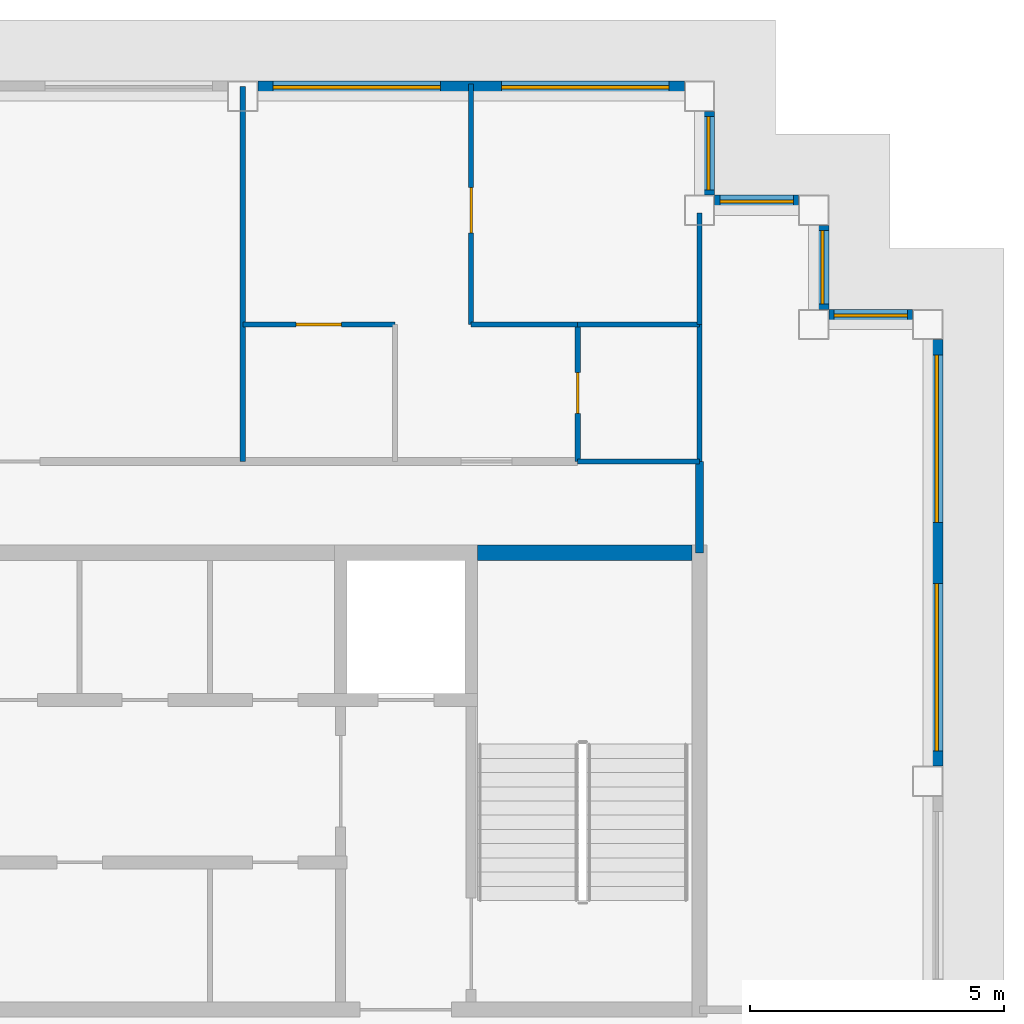
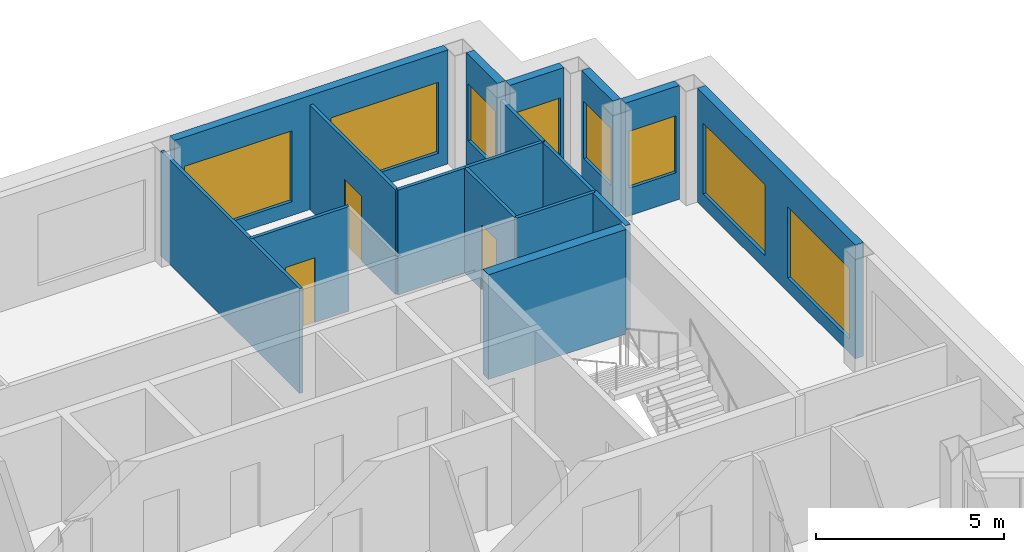
# One storey, part 6 of 11: 17 walls, 8 windows, 3 doors, 11 openings.
"""IFC4 building model written with IfcOpenShell, lengths in metres."""

from ifc_helpers import new_model, si_unit, direction, frame, frame_2d, origin, place, context, subcontext, project, spatial, rectangle, extrude, material, layer, layer_set, type_object, element, fill, save


model = new_model("IFC4")

# Units and contexts
model_context = context("Model", 3, precision=1e-05, world=origin(), true_north=direction((0.0, 1.0)))
body_context = subcontext(model_context, "Body", "Model", "MODEL_VIEW")
ifc_project = project(units=[si_unit("LENGTHUNIT", "METRE"), si_unit("AREAUNIT", "SQUARE_METRE"), si_unit("VOLUMEUNIT", "CUBIC_METRE"), si_unit("PLANEANGLEUNIT", "RADIAN"), si_unit("MASSUNIT", "GRAM", prefix="KILO")], contexts=[model_context])

# Site, building, storey
site_placement = place(None, origin())
site = spatial("IfcSite", under=ifc_project, at=site_placement, CompositionType="ELEMENT")
building_placement = place(site_placement, origin())
building = spatial("IfcBuilding", under=site, at=building_placement, Name="Caravel Reach Hotel and Residences", CompositionType="ELEMENT")
storey_placement = place(building_placement, frame((0.0, 0.0, 260.10009765625)))
storey = spatial("IfcBuildingStorey", under=building, at=storey_placement, Name="L66", CompositionType="ELEMENT", Elevation=260.10009765625)

# Walls
ifc_material_1 = material(Name="Gypsum board on steel stud", Category="steel")
ifc_layer_1 = layer(ifc_material_1, 0.10009765625)
ifc_layer_set_1 = layer_set([ifc_layer_1], Name="Bathroom pod wall 100 mm")
wall_type_1 = type_object("IfcWallType", Name="Bathroom pod wall 100 mm", PredefinedType="PARTITIONING", material=ifc_layer_set_1)
for number, where, z_axis, x_axis, name in (
    (1, (42.60009765625, 33.300048828125, 0.0), (0.0, 0.0, 1.0), (1.0, 0.0, 0.0), "L66 wall w055"),
    (2, (42.60009765625, 36.0, 0.0), (0.0, 0.0, 1.0), (1.0, 0.0, 0.0), "L66 wall w057"),
):
    element("IfcWall", number, at=place(storey_placement, frame(where, z_axis=z_axis, x_axis=x_axis)), inside=storey, type_object=wall_type_1, Name=name, PredefinedType="PARTITIONING", context=body_context, shape_type="SweptSolid", body=[
        extrude(rectangle(XDim=2.39990234375, YDim=0.10009765625, at=frame_2d((1.199951171875, 0.0))), origin(), (0.0, 0.0, 1.0), 3.39990234375),
    ])

# Wall, opening, door
wall_1_placement = place(storey_placement, frame((42.60009765625, 33.300048828125, 0.0), z_axis=(0.0, 0.0, 1.0), x_axis=(0.0, 1.0, 0.0)))
wall_1 = element("IfcWall", 3, at=wall_1_placement, inside=storey, type_object=wall_type_1, Name="L66 wall w061", PredefinedType="PARTITIONING", context=body_context, shape_type="SweptSolid", body=[
    extrude(rectangle(XDim=2.699951171875, YDim=0.10009765625, at=frame_2d((1.35009765625, 0.0))), origin(), (0.0, 0.0, 1.0), 3.39990234375),
])
opening_1_placement = place(wall_1_placement, frame((0.949951171875, 0.0, 0.0)))
opening_1 = element("IfcOpeningElement", 4, at=opening_1_placement, cuts=wall_1, Name="Opening D66-024", PredefinedType="OPENING", context=body_context, shape_type="SweptSolid", body=[
    extrude(rectangle(XDim=0.800048828125, YDim=2.10009765625, at=frame_2d((0.39990234375, 1.050048828125))), frame((0.0, 0.06005859375, 0.0), z_axis=(0.0, -1.0, 0.0), x_axis=(1.0, 0.0, 0.0)), (0.0, 0.0, 1.0), 0.1201171875),
])
ifc_material_2 = material(Name="Timber and steel door leaf", Category="steel")
door_type_1 = type_object("IfcDoorType", Name="Bathroom door 800 x 2100", OperationType="SINGLE_SWING_LEFT", PredefinedType="DOOR", material=ifc_material_2)
door_1_placement = place(opening_1_placement, origin())
door_1 = element("IfcDoor", 5, at=door_1_placement, inside=storey, type_object=door_type_1, Name="door D66-024", OperationType="SINGLE_SWING_LEFT", OverallHeight=2.10009765625, OverallWidth=0.800048828125, PredefinedType="DOOR", context=body_context, shape_type="SweptSolid", body=[
    extrude(rectangle(XDim=0.800048828125, YDim=2.10009765625, at=frame_2d((0.39990234375, 1.050048828125))), frame((0.0, 0.02490234375, 0.0), z_axis=(0.0, -1.0, 0.0), x_axis=(1.0, 0.0, 0.0)), (0.0, 0.0, 1.0), 0.050048828125),
])
fill(opening_1, door_1)

# Walls
wall_2_placement = place(storey_placement, frame((45.0, 33.300048828125, 0.0), z_axis=(0.0, 0.0, 1.0), x_axis=(0.0, 1.0, 0.0)))
element("IfcWall", 6, at=wall_2_placement, inside=storey, type_object=wall_type_1, Name="L66 wall w063", PredefinedType="PARTITIONING", context=body_context, shape_type="SweptSolid", body=[
    extrude(rectangle(XDim=2.699951171875, YDim=0.10009765625, at=frame_2d((1.35009765625, 0.0))), origin(), (0.0, 0.0, 1.0), 3.39990234375),
])
ifc_material_3 = material(Name="Concrete C60", Category="concrete")
ifc_layer_2 = layer(ifc_material_3, 0.300048828125)
ifc_layer_set_2 = layer_set([ifc_layer_2], Name="Core wall 300 mm EI 120")
wall_type_2 = type_object("IfcWallType", Name="Core wall 300 mm EI 120", PredefinedType="SHEAR", material=ifc_layer_set_2)
wall_3_placement = place(storey_placement, frame((40.625, 31.5, 0.0), z_axis=(0.0, 0.0, 1.0), x_axis=(1.0, 0.0, 0.0)))
element("IfcWall", 7, at=wall_3_placement, inside=storey, type_object=wall_type_2, Name="L66 core wall N3", PredefinedType="SHEAR", context=body_context, shape_type="SweptSolid", body=[
    extrude(rectangle(XDim=4.22509765625, YDim=0.300048828125, at=frame_2d((2.112548828125, 0.0))), origin(), (0.0, 0.0, 1.0), 3.39990234375),
])
ifc_material_4 = material(Name="Gypsum board on steel stud, fire-rated", Category="steel")
ifc_layer_3 = layer(ifc_material_4, 0.14990234375)
ifc_layer_set_3 = layer_set([ifc_layer_3], Name="Corridor wall 150 mm EI 60")
wall_type_3 = type_object("IfcWallType", Name="Corridor wall 150 mm EI 60", PredefinedType="PARTITIONING", material=ifc_layer_set_3)
wall_4_placement = place(storey_placement, frame((45.0, 31.5, 0.0), z_axis=(0.0, 0.0, 1.0), x_axis=(0.0, 1.0, 0.0)))
element("IfcWall", 8, at=wall_4_placement, inside=storey, type_object=wall_type_3, Name="L66 wall w020", PredefinedType="PARTITIONING", context=body_context, shape_type="SweptSolid", body=[
    extrude(rectangle(XDim=1.800048828125, YDim=0.14990234375, at=frame_2d((0.89990234375, 0.0))), origin(), (0.0, 0.0, 1.0), 3.39990234375),
])

# Wall, openings, windows
ifc_material_5 = material(Name="Insulated rainscreen wall, aluminium cladding", Category="aluminium")
ifc_layer_4 = layer(ifc_material_5, 0.25)
ifc_layer_set_4 = layer_set([ifc_layer_4], Name="EW1 Tower rainscreen wall")
wall_type_4 = type_object("IfcWallType", Name="EW1 Tower rainscreen wall", PredefinedType="SOLIDWALL", material=ifc_layer_set_4)
wall_5_placement = place(storey_placement, frame((49.675048828125, 27.300048828125, 0.0), z_axis=(0.0, 0.0, 1.0), x_axis=(0.0, 1.0, 0.0)))
wall_5 = element("IfcWall", 9, at=wall_5_placement, inside=storey, type_object=wall_type_4, Name="External wall L66 E9.2", PredefinedType="SOLIDWALL", context=body_context, shape_type="SweptSolid", body=[
    extrude(rectangle(XDim=8.39990234375, YDim=0.25, at=frame_2d((4.199951171875, 0.0))), origin(), (0.0, 0.0, 1.0), 3.699951171875),
])
opening_2_placement = place(wall_5_placement, frame((0.300048828125, 0.0, 0.449951171875)))
opening_2 = element("IfcOpeningElement", 10, at=opening_2_placement, cuts=wall_5, Name="Opening WN15", PredefinedType="OPENING", context=body_context, shape_type="SweptSolid", body=[
    extrude(rectangle(XDim=3.300048828125, YDim=2.300048828125, at=frame_2d((1.64990234375, 1.14990234375))), frame((0.0, 0.135009765625, 0.0), z_axis=(0.0, -1.0, 0.0), x_axis=(1.0, 0.0, 0.0)), (0.0, 0.0, 1.0), 0.27001953125),
])
opening_3_placement = place(wall_5_placement, frame((4.800048828125, 0.0, 0.449951171875)))
opening_3 = element("IfcOpeningElement", 11, at=opening_3_placement, cuts=wall_5, Name="Opening WN15", PredefinedType="OPENING", context=body_context, shape_type="SweptSolid", body=[
    extrude(rectangle(XDim=3.300048828125, YDim=2.300048828125, at=frame_2d((1.64990234375, 1.14990234375))), frame((0.0, 0.135009765625, 0.0), z_axis=(0.0, -1.0, 0.0), x_axis=(1.0, 0.0, 0.0)), (0.0, 0.0, 1.0), 0.27001953125),
])
ifc_material_6 = material(Name="Dark low-e glazing in black aluminium frame", Category="aluminium")
window_type_1 = type_object("IfcWindowType", Name="Residence living window 3300 x 2300", PartitioningType="SINGLE_PANEL", PredefinedType="WINDOW", material=ifc_material_6)
window_1_placement = place(opening_2_placement, origin())
window_1 = element("IfcWindow", 12, at=window_1_placement, inside=storey, type_object=window_type_1, Name="Window L66 E9.2.1", OverallHeight=2.300048828125, OverallWidth=3.300048828125, PartitioningType="SINGLE_PANEL", PredefinedType="WINDOW", context=body_context, shape_type="SweptSolid", body=[
    extrude(rectangle(XDim=3.300048828125, YDim=2.300048828125, at=frame_2d((1.64990234375, 1.14990234375))), frame((0.0, 0.030029296875, 0.0), z_axis=(0.0, -1.0, 0.0), x_axis=(1.0, 0.0, 0.0)), (0.0, 0.0, 1.0), 0.06005859375),
])
fill(opening_2, window_1)
window_2_placement = place(opening_3_placement, origin())
window_2 = element("IfcWindow", 13, at=window_2_placement, inside=storey, type_object=window_type_1, Name="Window L66 E9.2.2", OverallHeight=2.300048828125, OverallWidth=3.300048828125, PartitioningType="SINGLE_PANEL", PredefinedType="WINDOW", context=body_context, shape_type="SweptSolid", body=[
    extrude(rectangle(XDim=3.300048828125, YDim=2.300048828125, at=frame_2d((1.64990234375, 1.14990234375))), frame((0.0, 0.030029296875, 0.0), z_axis=(0.0, -1.0, 0.0), x_axis=(1.0, 0.0, 0.0)), (0.0, 0.0, 1.0), 0.06005859375),
])
fill(opening_3, window_2)

# Wall, opening, window
wall_6_placement = place(storey_placement, frame((49.199951171875, 36.175048828125, 0.0), z_axis=(0.0, 0.0, 1.0), x_axis=(-1.0, 0.0, 0.0)))
wall_6 = element("IfcWall", 14, at=wall_6_placement, inside=storey, type_object=wall_type_4, Name="External wall L66 N10.1", PredefinedType="SOLIDWALL", context=body_context, shape_type="SweptSolid", body=[
    extrude(rectangle(XDim=1.64990234375, YDim=0.25, at=frame_2d((0.824951171875, 0.0))), origin(), (0.0, 0.0, 1.0), 3.699951171875),
])
opening_4_placement = place(wall_6_placement, frame((0.10009765625, 0.0, 0.89990234375)))
opening_4 = element("IfcOpeningElement", 15, at=opening_4_placement, cuts=wall_6, Name="Opening WN25", PredefinedType="OPENING", context=body_context, shape_type="SweptSolid", body=[
    extrude(rectangle(XDim=1.449951171875, YDim=1.85009765625, at=frame_2d((0.72509765625, 0.925048828125))), frame((0.0, 0.135009765625, 0.0), z_axis=(0.0, -1.0, 0.0), x_axis=(1.0, 0.0, 0.0)), (0.0, 0.0, 1.0), 0.27001953125),
])
ifc_material_7 = material(Name="Dark low-e glazing in black aluminium frame", Category="aluminium")
window_type_2 = type_object("IfcWindowType", Name="Residence bedroom window 1450 x 1850", PartitioningType="SINGLE_PANEL", PredefinedType="WINDOW", material=ifc_material_7)
window_3_placement = place(opening_4_placement, origin())
window_3 = element("IfcWindow", 16, at=window_3_placement, inside=storey, type_object=window_type_2, Name="Window L66 N10.1.1", OverallHeight=1.85009765625, OverallWidth=1.449951171875, PartitioningType="SINGLE_PANEL", PredefinedType="WINDOW", context=body_context, shape_type="SweptSolid", body=[
    extrude(rectangle(XDim=1.449951171875, YDim=1.85009765625, at=frame_2d((0.72509765625, 0.925048828125))), frame((0.0, 0.030029296875, 0.0), z_axis=(0.0, -1.0, 0.0), x_axis=(1.0, 0.0, 0.0)), (0.0, 0.0, 1.0), 0.06005859375),
])
fill(opening_4, window_3)

wall_7_placement = place(storey_placement, frame((47.425048828125, 36.300048828125, 0.0), z_axis=(0.0, 0.0, 1.0), x_axis=(0.0, 1.0, 0.0)))
wall_7 = element("IfcWall", 17, at=wall_7_placement, inside=storey, type_object=wall_type_4, Name="External wall L66 E11.1", PredefinedType="SOLIDWALL", context=body_context, shape_type="SweptSolid", body=[
    extrude(rectangle(XDim=1.64990234375, YDim=0.25, at=frame_2d((0.824951171875, 0.0))), origin(), (0.0, 0.0, 1.0), 3.699951171875),
])
opening_5_placement = place(wall_7_placement, frame((0.10009765625, 0.0, 0.89990234375)))
opening_5 = element("IfcOpeningElement", 18, at=opening_5_placement, cuts=wall_7, Name="Opening WN25", PredefinedType="OPENING", context=body_context, shape_type="SweptSolid", body=[
    extrude(rectangle(XDim=1.449951171875, YDim=1.85009765625, at=frame_2d((0.72509765625, 0.925048828125))), frame((0.0, 0.135009765625, 0.0), z_axis=(0.0, -1.0, 0.0), x_axis=(1.0, 0.0, 0.0)), (0.0, 0.0, 1.0), 0.27001953125),
])
window_4_placement = place(opening_5_placement, origin())
window_4 = element("IfcWindow", 19, at=window_4_placement, inside=storey, type_object=window_type_2, Name="Window L66 E11.1.1", OverallHeight=1.85009765625, OverallWidth=1.449951171875, PartitioningType="SINGLE_PANEL", PredefinedType="WINDOW", context=body_context, shape_type="SweptSolid", body=[
    extrude(rectangle(XDim=1.449951171875, YDim=1.85009765625, at=frame_2d((0.72509765625, 0.925048828125))), frame((0.0, 0.030029296875, 0.0), z_axis=(0.0, -1.0, 0.0), x_axis=(1.0, 0.0, 0.0)), (0.0, 0.0, 1.0), 0.06005859375),
])
fill(opening_5, window_4)

wall_8_placement = place(storey_placement, frame((46.949951171875, 38.425048828125, 0.0), z_axis=(0.0, 0.0, 1.0), x_axis=(-1.0, 0.0, 0.0)))
wall_8 = element("IfcWall", 20, at=wall_8_placement, inside=storey, type_object=wall_type_4, Name="External wall L66 N12.1", PredefinedType="SOLIDWALL", context=body_context, shape_type="SweptSolid", body=[
    extrude(rectangle(XDim=1.64990234375, YDim=0.25, at=frame_2d((0.824951171875, 0.0))), origin(), (0.0, 0.0, 1.0), 3.699951171875),
])
opening_6_placement = place(wall_8_placement, frame((0.10009765625, 0.0, 0.89990234375)))
opening_6 = element("IfcOpeningElement", 21, at=opening_6_placement, cuts=wall_8, Name="Opening WN25", PredefinedType="OPENING", context=body_context, shape_type="SweptSolid", body=[
    extrude(rectangle(XDim=1.449951171875, YDim=1.85009765625, at=frame_2d((0.72509765625, 0.925048828125))), frame((0.0, 0.135009765625, 0.0), z_axis=(0.0, -1.0, 0.0), x_axis=(1.0, 0.0, 0.0)), (0.0, 0.0, 1.0), 0.27001953125),
])
window_5_placement = place(opening_6_placement, origin())
window_5 = element("IfcWindow", 22, at=window_5_placement, inside=storey, type_object=window_type_2, Name="Window L66 N12.1.1", OverallHeight=1.85009765625, OverallWidth=1.449951171875, PartitioningType="SINGLE_PANEL", PredefinedType="WINDOW", context=body_context, shape_type="SweptSolid", body=[
    extrude(rectangle(XDim=1.449951171875, YDim=1.85009765625, at=frame_2d((0.72509765625, 0.925048828125))), frame((0.0, 0.030029296875, 0.0), z_axis=(0.0, -1.0, 0.0), x_axis=(1.0, 0.0, 0.0)), (0.0, 0.0, 1.0), 0.06005859375),
])
fill(opening_6, window_5)

wall_9_placement = place(storey_placement, frame((45.175048828125, 38.550048828125, 0.0), z_axis=(0.0, 0.0, 1.0), x_axis=(0.0, 1.0, 0.0)))
wall_9 = element("IfcWall", 23, at=wall_9_placement, inside=storey, type_object=wall_type_4, Name="External wall L66 E13.1", PredefinedType="SOLIDWALL", context=body_context, shape_type="SweptSolid", body=[
    extrude(rectangle(XDim=1.64990234375, YDim=0.25, at=frame_2d((0.824951171875, 0.0))), origin(), (0.0, 0.0, 1.0), 3.699951171875),
])
opening_7_placement = place(wall_9_placement, frame((0.10009765625, 0.0, 0.89990234375)))
opening_7 = element("IfcOpeningElement", 24, at=opening_7_placement, cuts=wall_9, Name="Opening WN25", PredefinedType="OPENING", context=body_context, shape_type="SweptSolid", body=[
    extrude(rectangle(XDim=1.449951171875, YDim=1.85009765625, at=frame_2d((0.72509765625, 0.925048828125))), frame((0.0, 0.135009765625, 0.0), z_axis=(0.0, -1.0, 0.0), x_axis=(1.0, 0.0, 0.0)), (0.0, 0.0, 1.0), 0.27001953125),
])
window_6_placement = place(opening_7_placement, origin())
window_6 = element("IfcWindow", 25, at=window_6_placement, inside=storey, type_object=window_type_2, Name="Window L66 E13.1.1", OverallHeight=1.85009765625, OverallWidth=1.449951171875, PartitioningType="SINGLE_PANEL", PredefinedType="WINDOW", context=body_context, shape_type="SweptSolid", body=[
    extrude(rectangle(XDim=1.449951171875, YDim=1.85009765625, at=frame_2d((0.72509765625, 0.925048828125))), frame((0.0, 0.030029296875, 0.0), z_axis=(0.0, -1.0, 0.0), x_axis=(1.0, 0.0, 0.0)), (0.0, 0.0, 1.0), 0.06005859375),
])
fill(opening_7, window_6)

# Wall, openings, windows
wall_10_placement = place(storey_placement, frame((44.699951171875, 40.675048828125, 0.0), z_axis=(0.0, 0.0, 1.0), x_axis=(-1.0, 0.0, 0.0)))
wall_10 = element("IfcWall", 26, at=wall_10_placement, inside=storey, type_object=wall_type_4, Name="External wall L66 N14.1", PredefinedType="SOLIDWALL", context=body_context, shape_type="SweptSolid", body=[
    extrude(rectangle(XDim=8.39990234375, YDim=0.25, at=frame_2d((4.199951171875, 0.0))), origin(), (0.0, 0.0, 1.0), 3.699951171875),
])
opening_8_placement = place(wall_10_placement, frame((0.300048828125, 0.0, 0.449951171875)))
opening_8 = element("IfcOpeningElement", 27, at=opening_8_placement, cuts=wall_10, Name="Opening WN15", PredefinedType="OPENING", context=body_context, shape_type="SweptSolid", body=[
    extrude(rectangle(XDim=3.300048828125, YDim=2.300048828125, at=frame_2d((1.64990234375, 1.14990234375))), frame((0.0, 0.135009765625, 0.0), z_axis=(0.0, -1.0, 0.0), x_axis=(1.0, 0.0, 0.0)), (0.0, 0.0, 1.0), 0.27001953125),
])
opening_9_placement = place(wall_10_placement, frame((4.800048828125, 0.0, 0.449951171875)))
opening_9 = element("IfcOpeningElement", 28, at=opening_9_placement, cuts=wall_10, Name="Opening WN15", PredefinedType="OPENING", context=body_context, shape_type="SweptSolid", body=[
    extrude(rectangle(XDim=3.300048828125, YDim=2.300048828125, at=frame_2d((1.64990234375, 1.14990234375))), frame((0.0, 0.135009765625, 0.0), z_axis=(0.0, -1.0, 0.0), x_axis=(1.0, 0.0, 0.0)), (0.0, 0.0, 1.0), 0.27001953125),
])
window_7_placement = place(opening_8_placement, origin())
window_7 = element("IfcWindow", 29, at=window_7_placement, inside=storey, type_object=window_type_1, Name="Window L66 N14.1.1", OverallHeight=2.300048828125, OverallWidth=3.300048828125, PartitioningType="SINGLE_PANEL", PredefinedType="WINDOW", context=body_context, shape_type="SweptSolid", body=[
    extrude(rectangle(XDim=3.300048828125, YDim=2.300048828125, at=frame_2d((1.64990234375, 1.14990234375))), frame((0.0, 0.030029296875, 0.0), z_axis=(0.0, -1.0, 0.0), x_axis=(1.0, 0.0, 0.0)), (0.0, 0.0, 1.0), 0.06005859375),
])
fill(opening_8, window_7)
window_8_placement = place(opening_9_placement, origin())
window_8 = element("IfcWindow", 30, at=window_8_placement, inside=storey, type_object=window_type_1, Name="Window L66 N14.1.2", OverallHeight=2.300048828125, OverallWidth=3.300048828125, PartitioningType="SINGLE_PANEL", PredefinedType="WINDOW", context=body_context, shape_type="SweptSolid", body=[
    extrude(rectangle(XDim=3.300048828125, YDim=2.300048828125, at=frame_2d((1.64990234375, 1.14990234375))), frame((0.0, 0.030029296875, 0.0), z_axis=(0.0, -1.0, 0.0), x_axis=(1.0, 0.0, 0.0)), (0.0, 0.0, 1.0), 0.06005859375),
])
fill(opening_9, window_8)

# Wall
ifc_material_8 = material(Name="Gypsum board on steel stud", Category="steel")
ifc_layer_5 = layer(ifc_material_8, 0.10009765625)
ifc_layer_set_5 = layer_set([ifc_layer_5], Name="Partition 100 mm")
wall_type_5 = type_object("IfcWallType", Name="Partition 100 mm", PredefinedType="PARTITIONING", material=ifc_layer_set_5)
wall_11_placement = place(storey_placement, frame((40.5, 36.0, 0.0), z_axis=(0.0, 0.0, 1.0), x_axis=(1.0, 0.0, 0.0)))
element("IfcWall", 31, at=wall_11_placement, inside=storey, type_object=wall_type_5, Name="L66 wall w027", PredefinedType="PARTITIONING", context=body_context, shape_type="SweptSolid", body=[
    extrude(rectangle(XDim=2.10009765625, YDim=0.10009765625, at=frame_2d((1.050048828125, 0.0))), origin(), (0.0, 0.0, 1.0), 3.39990234375),
])

# Wall, opening, door
wall_12_placement = place(storey_placement, frame((36.0, 36.0, 0.0), z_axis=(0.0, 0.0, 1.0), x_axis=(1.0, 0.0, 0.0)))
wall_12 = element("IfcWall", 32, at=wall_12_placement, inside=storey, type_object=wall_type_5, Name="L66 wall w028", PredefinedType="PARTITIONING", context=body_context, shape_type="SweptSolid", body=[
    extrude(rectangle(XDim=3.0, YDim=0.10009765625, at=frame_2d((1.5, 0.0))), origin(), (0.0, 0.0, 1.0), 3.39990234375),
])
opening_10_placement = place(wall_12_placement, frame((1.050048828125, 0.0, 0.0)))
opening_10 = element("IfcOpeningElement", 33, at=opening_10_placement, cuts=wall_12, Name="Opening D66-023", PredefinedType="OPENING", context=body_context, shape_type="SweptSolid", body=[
    extrude(rectangle(XDim=0.89990234375, YDim=2.10009765625, at=frame_2d((0.449951171875, 1.050048828125))), frame((0.0, 0.06005859375, 0.0), z_axis=(0.0, -1.0, 0.0), x_axis=(1.0, 0.0, 0.0)), (0.0, 0.0, 1.0), 0.1201171875),
])
ifc_material_9 = material(Name="Timber and steel door leaf", Category="steel")
door_type_2 = type_object("IfcDoorType", Name="Door 900 x 2100 timber", OperationType="SINGLE_SWING_LEFT", PredefinedType="DOOR", material=ifc_material_9)
door_2_placement = place(opening_10_placement, origin())
door_2 = element("IfcDoor", 34, at=door_2_placement, inside=storey, type_object=door_type_2, Name="door D66-023", OperationType="SINGLE_SWING_LEFT", OverallHeight=2.10009765625, OverallWidth=0.89990234375, PredefinedType="DOOR", context=body_context, shape_type="SweptSolid", body=[
    extrude(rectangle(XDim=0.89990234375, YDim=2.10009765625, at=frame_2d((0.449951171875, 1.050048828125))), frame((0.0, 0.02490234375, 0.0), z_axis=(0.0, -1.0, 0.0), x_axis=(1.0, 0.0, 0.0)), (0.0, 0.0, 1.0), 0.050048828125),
])
fill(opening_10, door_2)

# Wall
wall_13_placement = place(storey_placement, frame((36.0, 33.300048828125, 0.0), z_axis=(0.0, 0.0, 1.0), x_axis=(0.0, 1.0, 0.0)))
element("IfcWall", 35, at=wall_13_placement, inside=storey, type_object=wall_type_5, Name="L66 wall w038", PredefinedType="PARTITIONING", context=body_context, shape_type="SweptSolid", body=[
    extrude(rectangle(XDim=7.389892578125, YDim=0.10009765625, at=frame_2d((3.69482421875, 0.0))), origin(), (0.0, 0.0, 1.0), 3.39990234375),
])

# Wall, opening, door
wall_14_placement = place(storey_placement, frame((40.5, 36.0, 0.0), z_axis=(0.0, 0.0, 1.0), x_axis=(0.0, 1.0, 0.0)))
wall_14 = element("IfcWall", 36, at=wall_14_placement, inside=storey, type_object=wall_type_5, Name="L66 wall w045", PredefinedType="PARTITIONING", context=body_context, shape_type="SweptSolid", body=[
    extrude(rectangle(XDim=4.739990234375, YDim=0.10009765625, at=frame_2d((2.3701171875, 0.0))), origin(), (0.0, 0.0, 1.0), 3.39990234375),
])
opening_11_placement = place(wall_14_placement, frame((1.800048828125, 0.0, 0.0)))
opening_11 = element("IfcOpeningElement", 37, at=opening_11_placement, cuts=wall_14, Name="Opening D66-025", PredefinedType="OPENING", context=body_context, shape_type="SweptSolid", body=[
    extrude(rectangle(XDim=0.89990234375, YDim=2.10009765625, at=frame_2d((0.449951171875, 1.050048828125))), frame((0.0, 0.06005859375, 0.0), z_axis=(0.0, -1.0, 0.0), x_axis=(1.0, 0.0, 0.0)), (0.0, 0.0, 1.0), 0.1201171875),
])
door_3_placement = place(opening_11_placement, origin())
door_3 = element("IfcDoor", 38, at=door_3_placement, inside=storey, type_object=door_type_2, Name="door D66-025", OperationType="SINGLE_SWING_LEFT", OverallHeight=2.10009765625, OverallWidth=0.89990234375, PredefinedType="DOOR", context=body_context, shape_type="SweptSolid", body=[
    extrude(rectangle(XDim=0.89990234375, YDim=2.10009765625, at=frame_2d((0.449951171875, 1.050048828125))), frame((0.0, 0.02490234375, 0.0), z_axis=(0.0, -1.0, 0.0), x_axis=(1.0, 0.0, 0.0)), (0.0, 0.0, 1.0), 0.050048828125),
])
fill(opening_11, door_3)

# Wall
wall_15_placement = place(storey_placement, frame((45.0, 36.0, 0.0), z_axis=(0.0, 0.0, 1.0), x_axis=(0.0, 1.0, 0.0)))
element("IfcWall", 39, at=wall_15_placement, inside=storey, type_object=wall_type_5, Name="L66 wall w047", PredefinedType="PARTITIONING", context=body_context, shape_type="SweptSolid", body=[
    extrude(rectangle(XDim=2.199951171875, YDim=0.10009765625, at=frame_2d((1.10009765625, 0.0))), origin(), (0.0, 0.0, 1.0), 3.39990234375),
])

save(model, "model.ifc")
